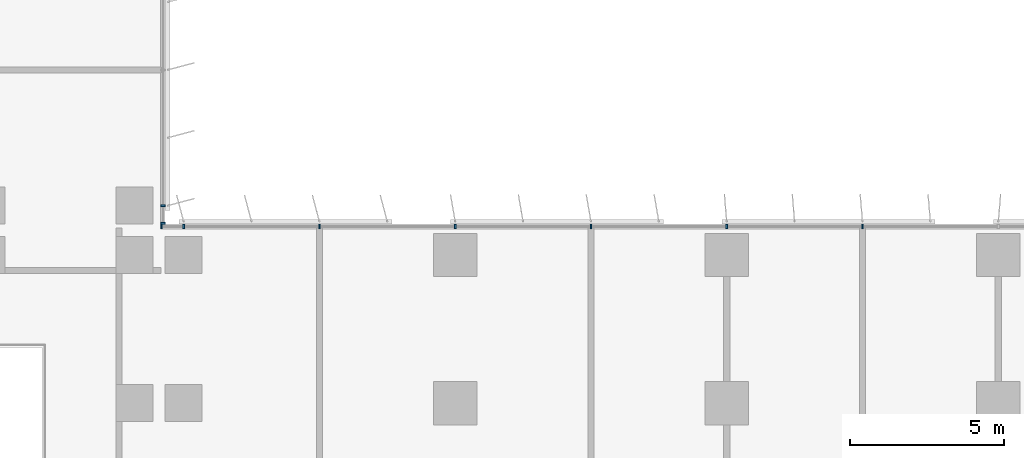
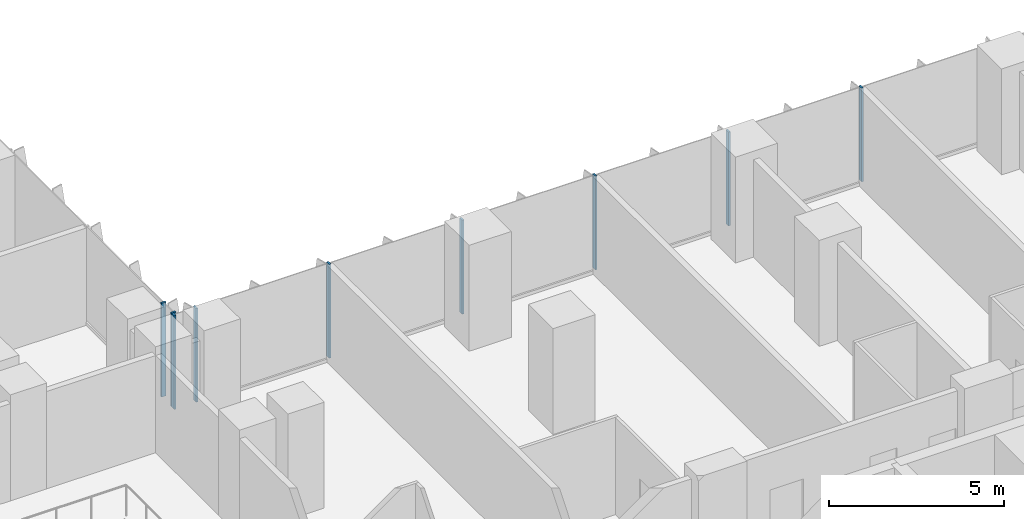
# One storey, part 2 of 24: 9 members, 2 elements without a shape of their own.
"""IFC4 building model written with IfcOpenShell, lengths in metres."""

import ifcopenshell
import ifcopenshell.guid

model = None  # the IFC model being written
_history = None  # IfcOwnerHistory: only IFC2X3 demands one
_inside = {}  # id of a spatial element -> (the spatial element, [elements in it])
_under = {}  # id of a project, library or spatial element -> (it, [spatial elements below it])
_declared = {}  # id of a project -> (the project, [libraries it declares])
_typed = {}  # id of a type object -> (the type object, [elements of that type])
_made_of = {}  # id of a material, layer set ... -> (it, [elements and type objects made of it])


def new_model(schema):
    """Start an empty IFC model of exactly this schema.

    Asked for "IFC4X3", IfcOpenShell would pick the latest addendum, in which some entities
    have other attributes; the version numbers below select the first issue.
    IFC2X3 requires an IfcOwnerHistory on every rooted entity: one is made here for all.
    """
    global model, _history
    if schema == "IFC4X3":
        model = ifcopenshell.file(schema_version=(4, 3, 0, 0))
    else:
        model = ifcopenshell.file(schema=schema)
    _inside.clear()
    _under.clear()
    _declared.clear()
    _typed.clear()
    _made_of.clear()
    _history = None
    if model.schema == "IFC2X3":
        org = make("IfcOrganization", Name="unknown")
        user = make(
            "IfcPersonAndOrganization",
            ThePerson=make("IfcPerson", FamilyName="unknown"),
            TheOrganization=org,
        )
        app = make(
            "IfcApplication",
            ApplicationDeveloper=org,
            Version="unknown",
            ApplicationFullName="unknown",
            ApplicationIdentifier="unknown",
        )
        _history = make(
            "IfcOwnerHistory",
            OwningUser=user,
            OwningApplication=app,
            ChangeAction="ADDED",
            CreationDate=0,
        )
    return model


def make(cls, **values):
    """One entity of the class cls with the attributes given. An attribute that is None is left unset."""
    return model.create_entity(
        cls, **{name: value for name, value in values.items() if value is not None}
    )


def rooted(cls, **values):
    """An entity with a GlobalId (a new one), such as an element, a storey or a relation."""
    return make(cls, GlobalId=ifcopenshell.guid.new(), OwnerHistory=_history, **values)


def si_unit(unit_type, name, prefix=None):
    """IfcSIUnit, for example si_unit("LENGTHUNIT", "METRE", prefix="MILLI")."""
    return make("IfcSIUnit", UnitType=unit_type, Prefix=prefix, Name=name)


def assignment(units):
    """IfcUnitAssignment: the units of a project."""
    return None if units is None else make("IfcUnitAssignment", Units=units)


def point(xyz):
    """IfcCartesianPoint."""
    return None if xyz is None else make("IfcCartesianPoint", Coordinates=xyz)


def direction(xyz):
    """IfcDirection."""
    return None if xyz is None else make("IfcDirection", DirectionRatios=xyz)


def frame(location, z_axis=None, x_axis=None):
    """IfcAxis2Placement3D, a coordinate frame: its origin and axes. An axis left out is left unset."""
    return make(
        "IfcAxis2Placement3D",
        Location=point(location),
        Axis=direction(z_axis),
        RefDirection=direction(x_axis),
    )


def frame_2d(location, x_axis=None):
    """IfcAxis2Placement2D, a coordinate frame in the plane: its origin and x axis."""
    return make(
        "IfcAxis2Placement2D", Location=point(location), RefDirection=direction(x_axis)
    )


def origin():
    """The frame at (0, 0, 0) with its axes left unset."""
    return frame((0.0, 0.0, 0.0))


def origin_2d():
    """The frame at (0, 0) in the plane with its x axis left unset."""
    return frame_2d((0.0, 0.0))


def place(relative_to, where):
    """IfcLocalPlacement: puts the frame where relative to a parent placement (None: the world)."""
    return make(
        "IfcLocalPlacement", PlacementRelTo=relative_to, RelativePlacement=where
    )


def context(
    kind, dimensions, precision=None, world=None, true_north=None, identifier=None
):
    """IfcGeometricRepresentationContext, for example the 3D "Model" context."""
    return make(
        "IfcGeometricRepresentationContext",
        ContextIdentifier=identifier,
        ContextType=kind,
        CoordinateSpaceDimension=dimensions,
        Precision=precision,
        WorldCoordinateSystem=world,
        TrueNorth=true_north,
    )


def subcontext(parent, identifier, kind, view, scale=None):
    """IfcGeometricRepresentationSubContext, for example "Body" below "Model"."""
    return make(
        "IfcGeometricRepresentationSubContext",
        ContextIdentifier=identifier,
        ContextType=kind,
        ParentContext=parent,
        TargetScale=scale,
        TargetView=view,
    )


def project(units=None, contexts=None):
    """IfcProject with its units and contexts."""
    return rooted(
        "IfcProject",
        Name="project",
        RepresentationContexts=contexts,
        UnitsInContext=assignment(units),
    )


def spatial(cls, under=None, at=None, **own):
    """A site, building, storey or space (cls), placed at a placement, below another one or the project."""
    s = rooted(cls, ObjectPlacement=at, **own)
    if under is not None:
        _under.setdefault(under.id(), (under, []))[1].append(s)
    return s


def profile(cls, at=None, kind="AREA", **sizes):
    """A parametric profile (cls). Its sizes go by their IFC names, for example OverallWidth=200.0."""
    return make(cls, ProfileType=kind, Position=at, **sizes)


def rectangle(**sizes):
    """IfcRectangleProfileDef."""
    return profile("IfcRectangleProfileDef", **sizes)


def extrude(swept, where, along, depth):
    """IfcExtrudedAreaSolid: the profile swept, set in the frame where, extruded along a direction by depth."""
    return make(
        "IfcExtrudedAreaSolid",
        SweptArea=swept,
        Position=where,
        ExtrudedDirection=direction(along),
        Depth=depth,
    )


def shape(context_of_items, identifier, shape_type, items):
    """IfcShapeRepresentation: the items that make up one representation, for example the "Body"."""
    return make(
        "IfcShapeRepresentation",
        ContextOfItems=context_of_items,
        RepresentationIdentifier=identifier,
        RepresentationType=shape_type,
        Items=items,
    )


def source(mapping_origin, context_of_items, identifier, shape_type, items):
    """IfcRepresentationMap: a shape defined once, which mapped items show again and again."""
    return make(
        "IfcRepresentationMap",
        MappingOrigin=mapping_origin,
        MappedRepresentation=shape(context_of_items, identifier, shape_type, items),
    )


def transform(
    local_origin,
    x_axis=None,
    y_axis=None,
    z_axis=None,
    scale=None,
    scale2=None,
    scale3=None,
    uniform=True,
):
    """IfcCartesianTransformationOperator3D, or its non-uniform kind. x_axis, y_axis, z_axis: its Axis1, 2, 3."""
    if uniform:
        return make(
            "IfcCartesianTransformationOperator3D",
            Axis1=direction(x_axis),
            Axis2=direction(y_axis),
            LocalOrigin=point(local_origin),
            Scale=scale,
            Axis3=direction(z_axis),
        )
    return make(
        "IfcCartesianTransformationOperator3DnonUniform",
        Axis1=direction(x_axis),
        Axis2=direction(y_axis),
        LocalOrigin=point(local_origin),
        Scale=scale,
        Axis3=direction(z_axis),
        Scale2=scale2,
        Scale3=scale3,
    )


def mapped(mapping_source, mapping_target):
    """IfcMappedItem: shows the shape of a source again, moved by a transform."""
    return make(
        "IfcMappedItem", MappingSource=mapping_source, MappingTarget=mapping_target
    )


def material(Name=None, Category=None):
    """IfcMaterial."""
    return make("IfcMaterial", Name=Name, Category=Category)


def material_profile(
    of_material, cross_section, Name=None, Category=None, Priority=None
):
    """IfcMaterialProfile: a cross section and its material."""
    return make(
        "IfcMaterialProfile",
        Name=Name,
        Material=of_material,
        Profile=cross_section,
        Priority=Priority,
        Category=Category,
    )


def profile_set(profiles, Name=None, composite=None):
    """IfcMaterialProfileSet."""
    return make(
        "IfcMaterialProfileSet",
        Name=Name,
        MaterialProfiles=profiles,
        CompositeProfile=composite,
    )


def made_of(thing, what):
    """Note that an element or type object is made of a material, layer set ...; save() writes the relation."""
    if what is not None:
        _made_of.setdefault(what.id(), (what, []))[1].append(thing)
    return thing


def type_object(cls, material=None, **own):
    """A type object (cls), such as IfcWallType, which elements share."""
    return made_of(rooted(cls, **own), material)


def element(
    cls,
    number,
    at=None,
    inside=None,
    cuts=None,
    type_object=None,
    material=None,
    context=None,
    identifier="Body",
    shape_type=None,
    held_by="IfcProductDefinitionShape",
    body=None,
    shapes=None,
    **own,
):
    """One element of the class cls, such as IfcWall. Its Tag is "e" and its number.

    at: its placement. inside: the storey or other place that contains it. cuts: it is an
    opening in that element (IfcRelVoidsElement). A single representation is given by context,
    identifier, shape_type and body (its items); several are given by shapes. held_by: the class
    of the entity that holds the representations. save() writes the other relations.
    """
    e = rooted(cls, Tag="e%d" % number, ObjectPlacement=at, **own)
    if body is not None:
        shapes = [shape(context, identifier, shape_type, body)]
    if shapes is not None:
        e.Representation = make(held_by, Representations=shapes)
    if inside is not None:
        _inside.setdefault(inside.id(), (inside, []))[1].append(e)
    if cuts is not None:
        rooted(
            "IfcRelVoidsElement", RelatingBuildingElement=cuts, RelatedOpeningElement=e
        )
    if type_object is not None:
        _typed.setdefault(type_object.id(), (type_object, []))[1].append(e)
    return made_of(e, material)


def aggregate(whole, parts):
    """IfcRelAggregates: a whole, such as a stair, and the parts it consists of."""
    return rooted("IfcRelAggregates", RelatingObject=whole, RelatedObjects=parts)


def save(model, path):
    """Write the relations noted so far, then the file.

    IfcRelAggregates (storeys below a building ...), IfcRelContainedInSpatialStructure (elements
    in a storey), IfcRelDefinesByType, IfcRelAssociatesMaterial and IfcRelDeclares: one each for
    every whole, place, type object, material and project.
    """
    for whole, parts in _under.values():
        aggregate(whole, parts)
    for where, things in _inside.values():
        rooted(
            "IfcRelContainedInSpatialStructure",
            RelatedElements=things,
            RelatingStructure=where,
        )
    for kind, things in _typed.values():
        rooted("IfcRelDefinesByType", RelatedObjects=things, RelatingType=kind)
    for what, things in _made_of.values():
        rooted("IfcRelAssociatesMaterial", RelatedObjects=things, RelatingMaterial=what)
    for by, libraries in _declared.values():
        rooted("IfcRelDeclares", RelatingContext=by, RelatedDefinitions=libraries)
    model.write(path)


model = new_model("IFC4")

# Units and contexts
model_context = context("Model", 3, precision=1e-05, world=origin(), true_north=direction((0.0, 1.0)))
body_context = subcontext(model_context, "Body", "Model", "MODEL_VIEW")
ifc_project = project(units=[si_unit("LENGTHUNIT", "METRE"), si_unit("AREAUNIT", "SQUARE_METRE"), si_unit("VOLUMEUNIT", "CUBIC_METRE"), si_unit("PLANEANGLEUNIT", "RADIAN"), si_unit("MASSUNIT", "GRAM", prefix="KILO")], contexts=[model_context])

# Site, building, storey
site_placement = place(None, origin())
site = spatial("IfcSite", under=ifc_project, at=site_placement, CompositionType="ELEMENT")
building_placement = place(site_placement, origin())
building = spatial("IfcBuilding", under=site, at=building_placement, Name="Kemantara Hotel Tower", CompositionType="ELEMENT")
storey_placement = place(building_placement, frame((0.0, 0.0, 52.5)))
storey = spatial("IfcBuildingStorey", under=building, at=storey_placement, Name="L11", CompositionType="ELEMENT", Elevation=52.5)

# Curtain wall, members
ifc_material_1 = material(Name="Low-E tinted double insulated glass 36 mm", Category="glass")
curtain_wall_type = type_object("IfcCurtainWallType", Name="TOWER CURTAIN WALL, FRONT FACES", PredefinedType="USERDEFINED", material=ifc_material_1)
curtain_wall_1_placement = place(storey_placement, origin())
curtain_wall_1 = element("IfcCurtainWall", 1, at=curtain_wall_1_placement, inside=storey, type_object=curtain_wall_type, Name="CW4 L11 T1-R07-1", ObjectType="TOWER CURTAIN WALL, FRONT FACES", PredefinedType="USERDEFINED")
ifc_material_2 = material(Name="Aluminium 6063-T6 bronze anodised", Category="aluminium")
ifc_material_profile = material_profile(ifc_material_2, rectangle(XDim=0.14990234375, YDim=0.06005859375, at=origin_2d()), Name="TOWER CURTAIN WALL, FRONT FACES MULLION")
ifc_profile_set = profile_set([ifc_material_profile], Name="Aluminium 6063-T6 bronze anodised")
member_type = type_object("IfcMemberType", Name="TOWER CURTAIN WALL, FRONT FACES MULLION", PredefinedType="MULLION", material=ifc_profile_set)
shared_shape = source(origin(), body_context, "Body", "SweptSolid", [
    extrude(rectangle(XDim=0.14990234375, YDim=0.06005859375, at=origin_2d()), origin(), (0.0, 0.0, 1.0), 3.27978515625),
])
member_1_placement = place(storey_placement, frame((49.39990234375, 26.72509765625, 0.1201171875), z_axis=(0.0, 0.0, 1.0), x_axis=(0.0, -1.0, 0.0)))
member_1 = element("IfcMember", 2, at=member_1_placement, type_object=member_type, Name="CW4 mullion T1-R07-1.8", PredefinedType="MULLION", context=body_context, shape_type="MappedRepresentation", body=[
    mapped(shared_shape, transform((0.0, 0.0, 0.0))),
])
member_2_placement = place(storey_placement, frame((45.0, 26.72509765625, 0.1201171875), z_axis=(0.0, 0.0, 1.0), x_axis=(0.0, -1.0, 0.0)))
member_2 = element("IfcMember", 3, at=member_2_placement, type_object=member_type, Name="CW4 mullion T1-R07-1.9", PredefinedType="MULLION", context=body_context, shape_type="MappedRepresentation", body=[
    mapped(shared_shape, transform((0.0, 0.0, 0.0))),
])
member_3_placement = place(storey_placement, frame((40.60009765625, 26.72509765625, 0.1201171875), z_axis=(0.0, 0.0, 1.0), x_axis=(0.0, -1.0, 0.0)))
member_3 = element("IfcMember", 4, at=member_3_placement, type_object=member_type, Name="CW4 mullion T1-R07-1.10", PredefinedType="MULLION", context=body_context, shape_type="MappedRepresentation", body=[
    mapped(shared_shape, transform((0.0, 0.0, 0.0))),
])
member_4_placement = place(storey_placement, frame((36.199951171875, 26.72509765625, 0.1201171875), z_axis=(0.0, 0.0, 1.0), x_axis=(0.0, -1.0, 0.0)))
member_4 = element("IfcMember", 5, at=member_4_placement, type_object=member_type, Name="CW4 mullion T1-R07-1.11", PredefinedType="MULLION", context=body_context, shape_type="MappedRepresentation", body=[
    mapped(shared_shape, transform((0.0, 0.0, 0.0))),
])
member_5_placement = place(storey_placement, frame((31.800048828125, 26.72509765625, 0.1201171875), z_axis=(0.0, 0.0, 1.0), x_axis=(0.0, -1.0, 0.0)))
member_5 = element("IfcMember", 6, at=member_5_placement, type_object=member_type, Name="CW4 mullion T1-R07-1.12", PredefinedType="MULLION", context=body_context, shape_type="MappedRepresentation", body=[
    mapped(shared_shape, transform((0.0, 0.0, 0.0))),
])
member_6_placement = place(storey_placement, frame((27.39990234375, 26.72509765625, 0.1201171875), z_axis=(0.0, 0.0, 1.0), x_axis=(0.0, -1.0, 0.0)))
member_6 = element("IfcMember", 7, at=member_6_placement, type_object=member_type, Name="CW4 mullion T1-R07-1.13", PredefinedType="MULLION", context=body_context, shape_type="MappedRepresentation", body=[
    mapped(shared_shape, transform((0.0, 0.0, 0.0))),
])
member_7_placement = place(storey_placement, frame((26.679931640625, 26.72509765625, 0.1201171875), z_axis=(0.0, 0.0, 1.0), x_axis=(0.0, -1.0, 0.0)))
member_7 = element("IfcMember", 8, at=member_7_placement, type_object=member_type, Name="CW4 mullion T1-R07-1.14", PredefinedType="MULLION", context=body_context, shape_type="MappedRepresentation", body=[
    mapped(shared_shape, transform((0.0, 0.0, 0.0))),
])
aggregate(curtain_wall_1, [member_1, member_2, member_3, member_4, member_5, member_6, member_7])

curtain_wall_2_placement = place(storey_placement, origin())
curtain_wall_2 = element("IfcCurtainWall", 9, at=curtain_wall_2_placement, inside=storey, type_object=curtain_wall_type, Name="CW4 L11 T1-R08-1", ObjectType="TOWER CURTAIN WALL, FRONT FACES", PredefinedType="USERDEFINED")
member_8_placement = place(storey_placement, frame((26.72509765625, 26.830078125, 0.1201171875), z_axis=(0.0, 0.0, 1.0), x_axis=(-1.0, 0.0, 0.0)))
member_8 = element("IfcMember", 10, at=member_8_placement, type_object=member_type, Name="CW4 mullion T1-R08-1.1", PredefinedType="MULLION", context=body_context, shape_type="MappedRepresentation", body=[
    mapped(shared_shape, transform((0.0, 0.0, 0.0))),
])
member_9_placement = place(storey_placement, frame((26.72509765625, 27.39990234375, 0.1201171875), z_axis=(0.0, 0.0, 1.0), x_axis=(-1.0, 0.0, 0.0)))
member_9 = element("IfcMember", 11, at=member_9_placement, type_object=member_type, Name="CW4 mullion T1-R08-1.2", PredefinedType="MULLION", context=body_context, shape_type="MappedRepresentation", body=[
    mapped(shared_shape, transform((0.0, 0.0, 0.0))),
])
aggregate(curtain_wall_2, [member_8, member_9])

save(model, "model.ifc")
